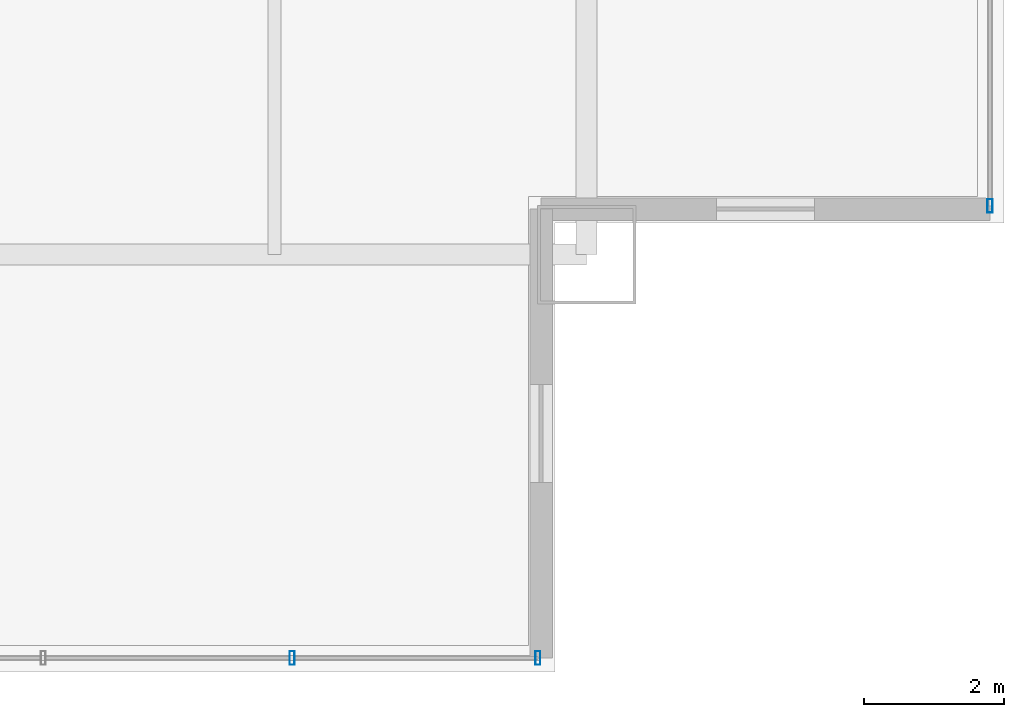
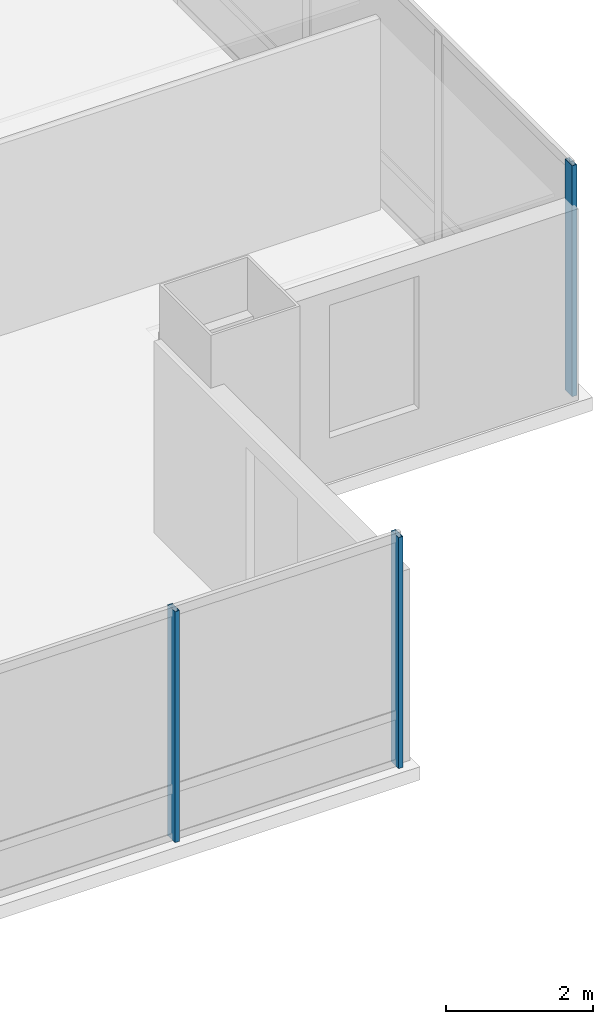
# One storey, part 14 of 36: 3 members, 2 elements without a shape of their own.
"""IFC4 building model written with IfcOpenShell, lengths in metres."""

from ifc_helpers import new_model, si_unit, direction, frame, origin, origin_2d, place, context, subcontext, project, spatial, hollow_rectangle, extrude, material, material_profile, profile_set, type_object, element, aggregate, save


model = new_model("IFC4")

# Units and contexts
model_context = context("Model", 3, precision=1e-05, world=origin(), true_north=direction((0.0, 1.0)))
body_context = subcontext(model_context, "Body", "Model", "MODEL_VIEW")
ifc_project = project(units=[si_unit("LENGTHUNIT", "METRE"), si_unit("AREAUNIT", "SQUARE_METRE"), si_unit("VOLUMEUNIT", "CUBIC_METRE"), si_unit("PLANEANGLEUNIT", "RADIAN"), si_unit("MASSUNIT", "GRAM", prefix="KILO")], contexts=[model_context])

# Site, building, storey
site_placement = place(None, origin())
site = spatial("IfcSite", under=ifc_project, at=site_placement, CompositionType="ELEMENT")
building_placement = place(site_placement, origin())
building = spatial("IfcBuilding", under=site, at=building_placement, Name="Punatoya Terracotta Tower", CompositionType="ELEMENT")
storey_placement = place(building_placement, frame((0.0, 0.0, 228.89990234375)))
storey = spatial("IfcBuildingStorey", under=building, at=storey_placement, Name="L54", CompositionType="ELEMENT", Elevation=228.89990234375)

# Curtain wall, members
ifc_material_1 = material(Name="Aluminium 6063-T6 + Double Low-E Glass", Category="aluminium")
curtain_wall_type = type_object("IfcCurtainWallType", Name="CW-M2", PredefinedType="NOTDEFINED", material=ifc_material_1)
curtain_wall_1_placement = place(storey_placement, origin())
curtain_wall_1 = element("IfcCurtainWall", 1, at=curtain_wall_1_placement, inside=storey, type_object=curtain_wall_type, Name="L54 Curtain Wall CW-L54-S01-1", PredefinedType="NOTDEFINED")
ifc_material_2 = material(Name="Aluminium 6063-T6", Category="aluminium")
ifc_material_profile = material_profile(ifc_material_2, hollow_rectangle(XDim=0.072021484375, YDim=0.195068359375, WallThickness=0.00439453125, at=origin_2d()))
ifc_profile_set = profile_set([ifc_material_profile], Name="Aluminium 6063-T6")
member_type = type_object("IfcMemberType", Name="CW-MUL-M2", PredefinedType="MULLION", material=ifc_profile_set)
member_1_placement = place(storey_placement, frame((14.9013671875, -23.25, 0.0), z_axis=(0.0, 0.0, 1.0), x_axis=(1.0, 0.0, 0.0)))
member_1 = element("IfcMember", 2, at=member_1_placement, type_object=member_type, Name="CW-L54-S01-1 Mullion 09", PredefinedType="MULLION", context=body_context, shape_type="SweptSolid", body=[
    extrude(hollow_rectangle(XDim=0.072021484375, YDim=0.195068359375, WallThickness=0.00439453125, at=origin_2d()), origin(), (0.0, 0.0, 1.0), 3.830078125),
])
member_2_placement = place(storey_placement, frame((18.405029296875, -23.25, 0.0), z_axis=(0.0, 0.0, 1.0), x_axis=(1.0, 0.0, 0.0)))
member_2 = element("IfcMember", 3, at=member_2_placement, type_object=member_type, Name="CW-L54-S01-1 Mullion 10", PredefinedType="MULLION", context=body_context, shape_type="SweptSolid", body=[
    extrude(hollow_rectangle(XDim=0.072021484375, YDim=0.195068359375, WallThickness=0.00439453125, at=origin_2d()), origin(), (0.0, 0.0, 1.0), 3.830078125),
])
aggregate(curtain_wall_1, [member_1, member_2])

# Curtain wall, member
curtain_wall_2_placement = place(storey_placement, origin())
curtain_wall_2 = element("IfcCurtainWall", 4, at=curtain_wall_2_placement, inside=storey, type_object=curtain_wall_type, Name="L54 Curtain Wall CW-L54-E04-1", PredefinedType="NOTDEFINED")
member_3_placement = place(storey_placement, frame((24.85009765625, -16.804931640625, 0.0), z_axis=(0.0, 0.0, 1.0), x_axis=(1.0, 0.0, 0.0)))
member_3 = element("IfcMember", 5, at=member_3_placement, type_object=member_type, Name="CW-L54-E04-1 Mullion 00", PredefinedType="MULLION", context=body_context, shape_type="SweptSolid", body=[
    extrude(hollow_rectangle(XDim=0.072021484375, YDim=0.195068359375, WallThickness=0.00439453125, at=origin_2d()), origin(), (0.0, 0.0, 1.0), 3.830078125),
])
aggregate(curtain_wall_2, [member_3])

save(model, "model.ifc")
